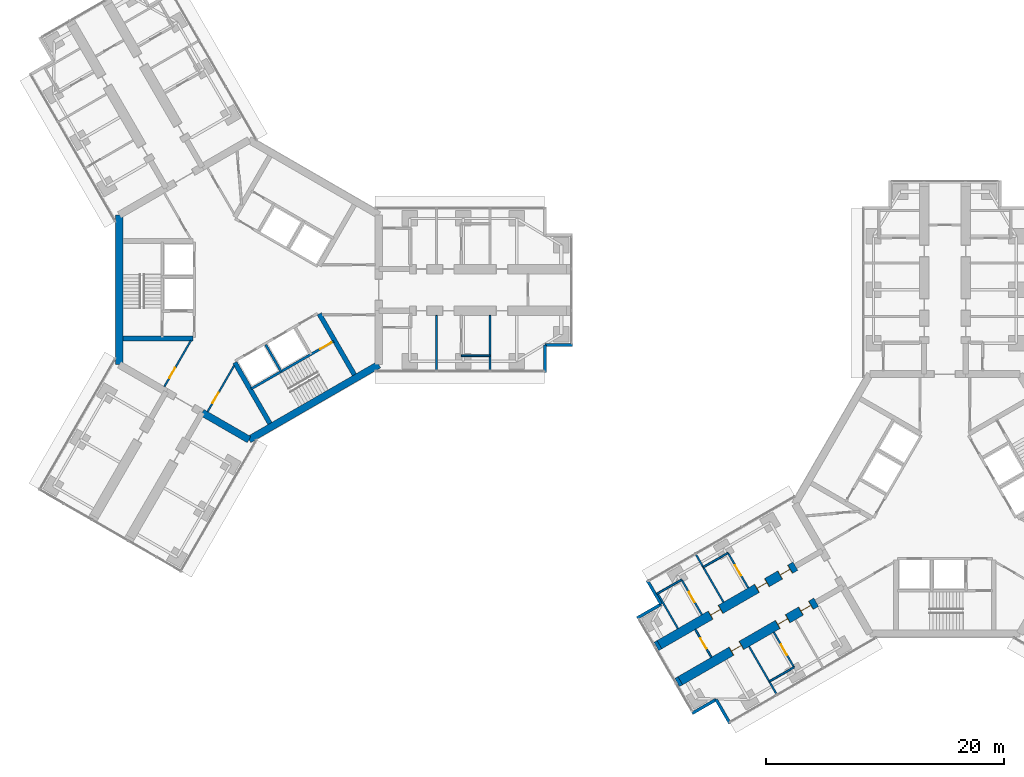
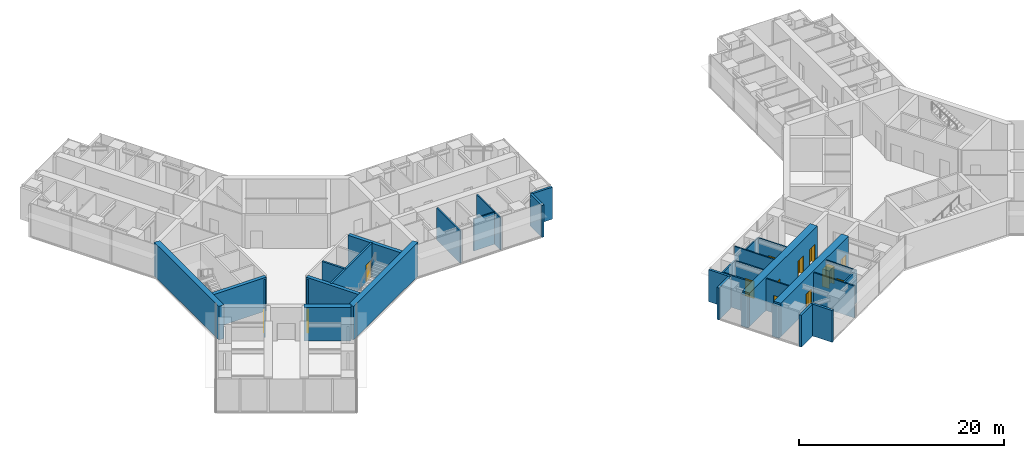
# One storey, part 15 of 22: 33 walls, 13 doors, 13 openings.
"""IFC4 building model written with IfcOpenShell, lengths in metres."""

from ifc_helpers import new_model, si_unit, direction, frame, frame_2d, origin, place, context, subcontext, project, spatial, rectangle, extrude, material, layer, layer_set, type_object, element, fill, save


model = new_model("IFC4")

# Units and contexts
model_context = context("Model", 3, precision=1e-05, world=origin(), true_north=direction((0.0, 1.0)))
body_context = subcontext(model_context, "Body", "Model", "MODEL_VIEW")
ifc_project = project(units=[si_unit("LENGTHUNIT", "METRE"), si_unit("AREAUNIT", "SQUARE_METRE"), si_unit("VOLUMEUNIT", "CUBIC_METRE"), si_unit("PLANEANGLEUNIT", "RADIAN"), si_unit("MASSUNIT", "GRAM", prefix="KILO")], contexts=[model_context])

# Site, building, storey
site_placement = place(None, origin())
site = spatial("IfcSite", under=ifc_project, at=site_placement, CompositionType="ELEMENT")
building_placement = place(site_placement, origin())
building = spatial("IfcBuilding", under=site, at=building_placement, Name="Upepo Twin Towers", CompositionType="ELEMENT")
storey_placement = place(building_placement, frame((0.0, 0.0, 141.5)))
storey = spatial("IfcBuildingStorey", under=building, at=storey_placement, Name="L34", CompositionType="ELEMENT", Elevation=141.5)

# Walls
ifc_material_1 = material(Name="Dense concrete blockwork", Category="masonry")
ifc_layer_1 = layer(ifc_material_1, 0.800048828125)
ifc_layer_set_1 = layer_set([ifc_layer_1], Name="Buttress closer 800, blockwork with fire-stopping to the curtain wall")
wall_type_1 = type_object("IfcWallType", Name="Buttress closer 800, blockwork with fire-stopping to the curtain wall", PredefinedType="PARTITIONING", material=ifc_layer_set_1)
wall_1_placement = place(storey_placement, frame((36.252197265625, -32.865478515625, 0.0), z_axis=(0.0, 0.0, 1.0), x_axis=(-0.865778900179, -0.500426713919, 0.0)))
element("IfcWall", 1, at=wall_1_placement, inside=storey, type_object=wall_type_1, Name="T2 L34 wing B buttress closer L", PredefinedType="PARTITIONING", context=body_context, shape_type="SweptSolid", body=[
    extrude(rectangle(XDim=0.300048828125, YDim=0.800048828125, at=frame_2d((0.14990234375, 0.0))), origin(), (0.0, 0.0, 1.0), 3.800048828125),
])
wall_2_placement = place(storey_placement, frame((34.502197265625, -29.83447265625, 0.0), z_axis=(0.0, 0.0, 1.0), x_axis=(-0.866131372301, -0.499816412211, 0.0)))
element("IfcWall", 2, at=wall_2_placement, inside=storey, type_object=wall_type_1, Name="T2 L34 wing B buttress closer R", PredefinedType="PARTITIONING", context=body_context, shape_type="SweptSolid", body=[
    extrude(rectangle(XDim=0.2998046875, YDim=0.800048828125, at=frame_2d((0.14990234375, 0.0))), origin(), (0.0, 0.0, 1.0), 3.800048828125),
])

# Wall, openings, doors
ifc_material_2 = material(Name="Concrete C60/75", Category="concrete")
ifc_layer_2 = layer(ifc_material_2, 0.800048828125)
ifc_layer_set_2 = layer_set([ifc_layer_2], Name="Concrete C60/75")
wall_type_2 = type_object("IfcWallType", Name="Buttress wall 800 RC", PredefinedType="SHEAR", material=ifc_layer_set_2)
wall_3_placement = place(storey_placement, frame((47.68359375, -26.265625, 0.0), z_axis=(0.0, 0.0, 1.0), x_axis=(-0.866027579429, -0.499996231654, 0.0)))
wall_3 = element("IfcWall", 3, at=wall_3_placement, inside=storey, type_object=wall_type_2, Name="T2 wing B buttress wall L part 2", PredefinedType="SHEAR", context=body_context, shape_type="SweptSolid", body=[
    extrude(rectangle(XDim=13.19970703125, YDim=0.800048828125, at=frame_2d((6.599853515625, 0.0))), origin(), (0.0, 0.0, 1.0), 4.0),
])
opening_1_placement = place(wall_3_placement, frame((0.5, 0.0, 0.0)))
opening_1 = element("IfcOpeningElement", 4, at=opening_1_placement, cuts=wall_3, Name="Opening D1", PredefinedType="OPENING", context=body_context, shape_type="SweptSolid", body=[
    extrude(rectangle(XDim=1.0, YDim=2.10009765625, at=frame_2d((0.5, 1.050048828125))), frame((0.0, 0.409912109375, 0.0), z_axis=(0.0, -1.0, 0.0), x_axis=(1.0, 0.0, 0.0)), (0.0, 0.0, 1.0), 0.820068359375),
])
opening_2_placement = place(wall_3_placement, frame((2.75, 0.0, 0.0)))
opening_2 = element("IfcOpeningElement", 5, at=opening_2_placement, cuts=wall_3, Name="Opening D1", PredefinedType="OPENING", context=body_context, shape_type="SweptSolid", body=[
    extrude(rectangle(XDim=1.0, YDim=2.10009765625, at=frame_2d((0.5, 1.050048828125))), frame((0.0, 0.409912109375, 0.0), z_axis=(0.0, -1.0, 0.0), x_axis=(1.0, 0.0, 0.0)), (0.0, 0.0, 1.0), 0.820068359375),
])
opening_3_placement = place(wall_3_placement, frame((7.25, 0.0, 0.0)))
opening_3 = element("IfcOpeningElement", 6, at=opening_3_placement, cuts=wall_3, Name="Opening D1", PredefinedType="OPENING", context=body_context, shape_type="SweptSolid", body=[
    extrude(rectangle(XDim=1.0, YDim=2.10009765625, at=frame_2d((0.5, 1.050048828125))), frame((0.0, 0.409912109375, 0.0), z_axis=(0.0, -1.0, 0.0), x_axis=(1.0, 0.0, 0.0)), (0.0, 0.0, 1.0), 0.820068359375),
])
ifc_material_3 = material(Name="Timber doorset", Category="wood")
door_type_1 = type_object("IfcDoorType", Name="Room door 1000 FD30", OperationType="SINGLE_SWING_LEFT", PredefinedType="DOOR", material=ifc_material_3)
door_1_placement = place(opening_1_placement, origin())
door_1 = element("IfcDoor", 7, at=door_1_placement, inside=storey, type_object=door_type_1, Name="T2 L34 tutorial room door", OperationType="SINGLE_SWING_LEFT", OverallHeight=2.10009765625, OverallWidth=1.0, PredefinedType="DOOR", context=body_context, shape_type="SweptSolid", body=[
    extrude(rectangle(XDim=0.92, YDim=2.06009765625, at=frame_2d((0.5, 1.030029296875))), frame((0.0, 0.02490234375, 0.0), z_axis=(0.0, -1.0, 0.0), x_axis=(1.0, 0.0, 0.0)), (0.0, 0.0, 1.0), 0.050048828125),
    extrude(rectangle(XDim=0.04, YDim=2.10009765625, at=frame_2d((0.02001953125, 1.050048828125))), frame((0.0, 0.39990234375, 0.0), z_axis=(0.0, -1.0, 0.0), x_axis=(1.0, 0.0, 0.0)), (0.0, 0.0, 1.0), 0.799560546875),
    extrude(rectangle(XDim=0.04, YDim=2.10009765625, at=frame_2d((0.97998046875, 1.050048828125))), frame((0.0, 0.39990234375, 0.0), z_axis=(0.0, -1.0, 0.0), x_axis=(1.0, 0.0, 0.0)), (0.0, 0.0, 1.0), 0.799560546875),
    extrude(rectangle(XDim=0.92, YDim=0.04, at=frame_2d((0.5, 2.080078125))), frame((0.0, 0.39990234375, 0.0), z_axis=(0.0, -1.0, 0.0), x_axis=(1.0, 0.0, 0.0)), (0.0, 0.0, 1.0), 0.799560546875),
])
fill(opening_1, door_1)
door_2_placement = place(opening_2_placement, origin())
door_2 = element("IfcDoor", 8, at=door_2_placement, inside=storey, type_object=door_type_1, Name="T2 L34 staff office door", OperationType="SINGLE_SWING_LEFT", OverallHeight=2.10009765625, OverallWidth=1.0, PredefinedType="DOOR", context=body_context, shape_type="SweptSolid", body=[
    extrude(rectangle(XDim=0.92, YDim=2.06009765625, at=frame_2d((0.5, 1.030029296875))), frame((0.0, 0.02490234375, 0.0), z_axis=(0.0, -1.0, 0.0), x_axis=(1.0, 0.0, 0.0)), (0.0, 0.0, 1.0), 0.050048828125),
    extrude(rectangle(XDim=0.04, YDim=2.10009765625, at=frame_2d((0.02001953125, 1.050048828125))), frame((0.0, 0.39990234375, 0.0), z_axis=(0.0, -1.0, 0.0), x_axis=(1.0, 0.0, 0.0)), (0.0, 0.0, 1.0), 0.799560546875),
    extrude(rectangle(XDim=0.04, YDim=2.10009765625, at=frame_2d((0.97998046875, 1.050048828125))), frame((0.0, 0.39990234375, 0.0), z_axis=(0.0, -1.0, 0.0), x_axis=(1.0, 0.0, 0.0)), (0.0, 0.0, 1.0), 0.799560546875),
    extrude(rectangle(XDim=0.92, YDim=0.04, at=frame_2d((0.5, 2.080078125))), frame((0.0, 0.39990234375, 0.0), z_axis=(0.0, -1.0, 0.0), x_axis=(1.0, 0.0, 0.0)), (0.0, 0.0, 1.0), 0.799560546875),
])
fill(opening_2, door_2)
door_3_placement = place(opening_3_placement, origin())
door_3 = element("IfcDoor", 9, at=door_3_placement, inside=storey, type_object=door_type_1, Name="T2 L34 seminar room door", OperationType="SINGLE_SWING_RIGHT", OverallHeight=2.10009765625, OverallWidth=1.0, PredefinedType="DOOR", context=body_context, shape_type="SweptSolid", body=[
    extrude(rectangle(XDim=0.92, YDim=2.06009765625, at=frame_2d((0.5, 1.030029296875))), frame((0.0, 0.02490234375, 0.0), z_axis=(0.0, -1.0, 0.0), x_axis=(1.0, 0.0, 0.0)), (0.0, 0.0, 1.0), 0.050048828125),
    extrude(rectangle(XDim=0.04, YDim=2.10009765625, at=frame_2d((0.02001953125, 1.050048828125))), frame((0.0, 0.39990234375, 0.0), z_axis=(0.0, -1.0, 0.0), x_axis=(1.0, 0.0, 0.0)), (0.0, 0.0, 1.0), 0.799560546875),
    extrude(rectangle(XDim=0.04, YDim=2.10009765625, at=frame_2d((0.97998046875, 1.050048828125))), frame((0.0, 0.39990234375, 0.0), z_axis=(0.0, -1.0, 0.0), x_axis=(1.0, 0.0, 0.0)), (0.0, 0.0, 1.0), 0.799560546875),
    extrude(rectangle(XDim=0.92, YDim=0.04, at=frame_2d((0.5, 2.080078125))), frame((0.0, 0.39990234375, 0.0), z_axis=(0.0, -1.0, 0.0), x_axis=(1.0, 0.0, 0.0)), (0.0, 0.0, 1.0), 0.799560546875),
])
fill(opening_3, door_3)

wall_4_placement = place(storey_placement, frame((45.93359375, -23.234375, 0.0), z_axis=(0.0, 0.0, 1.0), x_axis=(-0.866019570528, -0.500010103361, 0.0)))
wall_4 = element("IfcWall", 10, at=wall_4_placement, inside=storey, type_object=wall_type_2, Name="T2 wing B buttress wall R part 2", PredefinedType="SHEAR", context=body_context, shape_type="SweptSolid", body=[
    extrude(rectangle(XDim=13.199951171875, YDim=0.800048828125, at=frame_2d((6.60009765625, 0.0))), origin(), (0.0, 0.0, 1.0), 4.0),
])
opening_4_placement = place(wall_4_placement, frame((0.5, 0.0, 0.0)))
opening_4 = element("IfcOpeningElement", 11, at=opening_4_placement, cuts=wall_4, Name="Opening D1", PredefinedType="OPENING", context=body_context, shape_type="SweptSolid", body=[
    extrude(rectangle(XDim=1.0, YDim=2.10009765625, at=frame_2d((0.5, 1.050048828125))), frame((0.0, 0.409912109375, 0.0), z_axis=(0.0, -1.0, 0.0), x_axis=(1.0, 0.0, 0.0)), (0.0, 0.0, 1.0), 0.820068359375),
])
opening_5_placement = place(wall_4_placement, frame((2.75, 0.0, 0.0)))
opening_5 = element("IfcOpeningElement", 12, at=opening_5_placement, cuts=wall_4, Name="Opening D1", PredefinedType="OPENING", context=body_context, shape_type="SweptSolid", body=[
    extrude(rectangle(XDim=1.0, YDim=2.10009765625, at=frame_2d((0.5, 1.050048828125))), frame((0.0, 0.409912109375, 0.0), z_axis=(0.0, -1.0, 0.0), x_axis=(1.0, 0.0, 0.0)), (0.0, 0.0, 1.0), 0.820068359375),
])
opening_6_placement = place(wall_4_placement, frame((7.25, 0.0, 0.0)))
opening_6 = element("IfcOpeningElement", 13, at=opening_6_placement, cuts=wall_4, Name="Opening D1", PredefinedType="OPENING", context=body_context, shape_type="SweptSolid", body=[
    extrude(rectangle(XDim=1.0, YDim=2.10009765625, at=frame_2d((0.5, 1.050048828125))), frame((0.0, 0.409912109375, 0.0), z_axis=(0.0, -1.0, 0.0), x_axis=(1.0, 0.0, 0.0)), (0.0, 0.0, 1.0), 0.820068359375),
])
door_4_placement = place(opening_4_placement, origin())
door_4 = element("IfcDoor", 14, at=door_4_placement, inside=storey, type_object=door_type_1, Name="T2 L34 law clinic door", OperationType="SINGLE_SWING_LEFT", OverallHeight=2.10009765625, OverallWidth=1.0, PredefinedType="DOOR", context=body_context, shape_type="SweptSolid", body=[
    extrude(rectangle(XDim=0.92, YDim=2.06009765625, at=frame_2d((0.5, 1.030029296875))), frame((0.0, 0.02490234375, 0.0), z_axis=(0.0, -1.0, 0.0), x_axis=(1.0, 0.0, 0.0)), (0.0, 0.0, 1.0), 0.050048828125),
    extrude(rectangle(XDim=0.04, YDim=2.10009765625, at=frame_2d((0.02001953125, 1.050048828125))), frame((0.0, 0.39990234375, 0.0), z_axis=(0.0, -1.0, 0.0), x_axis=(1.0, 0.0, 0.0)), (0.0, 0.0, 1.0), 0.799560546875),
    extrude(rectangle(XDim=0.04, YDim=2.10009765625, at=frame_2d((0.97998046875, 1.050048828125))), frame((0.0, 0.39990234375, 0.0), z_axis=(0.0, -1.0, 0.0), x_axis=(1.0, 0.0, 0.0)), (0.0, 0.0, 1.0), 0.799560546875),
    extrude(rectangle(XDim=0.92, YDim=0.04, at=frame_2d((0.5, 2.080078125))), frame((0.0, 0.39990234375, 0.0), z_axis=(0.0, -1.0, 0.0), x_axis=(1.0, 0.0, 0.0)), (0.0, 0.0, 1.0), 0.799560546875),
])
fill(opening_4, door_4)
door_5_placement = place(opening_5_placement, origin())
door_5 = element("IfcDoor", 15, at=door_5_placement, inside=storey, type_object=door_type_1, Name="T2 L34 law clinic door", OperationType="SINGLE_SWING_LEFT", OverallHeight=2.10009765625, OverallWidth=1.0, PredefinedType="DOOR", context=body_context, shape_type="SweptSolid", body=[
    extrude(rectangle(XDim=0.92, YDim=2.06009765625, at=frame_2d((0.5, 1.030029296875))), frame((0.0, 0.02490234375, 0.0), z_axis=(0.0, -1.0, 0.0), x_axis=(1.0, 0.0, 0.0)), (0.0, 0.0, 1.0), 0.050048828125),
    extrude(rectangle(XDim=0.04, YDim=2.10009765625, at=frame_2d((0.02001953125, 1.050048828125))), frame((0.0, 0.39990234375, 0.0), z_axis=(0.0, -1.0, 0.0), x_axis=(1.0, 0.0, 0.0)), (0.0, 0.0, 1.0), 0.799560546875),
    extrude(rectangle(XDim=0.04, YDim=2.10009765625, at=frame_2d((0.97998046875, 1.050048828125))), frame((0.0, 0.39990234375, 0.0), z_axis=(0.0, -1.0, 0.0), x_axis=(1.0, 0.0, 0.0)), (0.0, 0.0, 1.0), 0.799560546875),
    extrude(rectangle(XDim=0.92, YDim=0.04, at=frame_2d((0.5, 2.080078125))), frame((0.0, 0.39990234375, 0.0), z_axis=(0.0, -1.0, 0.0), x_axis=(1.0, 0.0, 0.0)), (0.0, 0.0, 1.0), 0.799560546875),
])
fill(opening_5, door_5)
door_6_placement = place(opening_6_placement, origin())
door_6 = element("IfcDoor", 16, at=door_6_placement, inside=storey, type_object=door_type_1, Name="T2 L34 tutorial room door", OperationType="SINGLE_SWING_RIGHT", OverallHeight=2.10009765625, OverallWidth=1.0, PredefinedType="DOOR", context=body_context, shape_type="SweptSolid", body=[
    extrude(rectangle(XDim=0.92, YDim=2.06009765625, at=frame_2d((0.5, 1.030029296875))), frame((0.0, 0.02490234375, 0.0), z_axis=(0.0, -1.0, 0.0), x_axis=(1.0, 0.0, 0.0)), (0.0, 0.0, 1.0), 0.050048828125),
    extrude(rectangle(XDim=0.04, YDim=2.10009765625, at=frame_2d((0.02001953125, 1.050048828125))), frame((0.0, 0.39990234375, 0.0), z_axis=(0.0, -1.0, 0.0), x_axis=(1.0, 0.0, 0.0)), (0.0, 0.0, 1.0), 0.799560546875),
    extrude(rectangle(XDim=0.04, YDim=2.10009765625, at=frame_2d((0.97998046875, 1.050048828125))), frame((0.0, 0.39990234375, 0.0), z_axis=(0.0, -1.0, 0.0), x_axis=(1.0, 0.0, 0.0)), (0.0, 0.0, 1.0), 0.799560546875),
    extrude(rectangle(XDim=0.92, YDim=0.04, at=frame_2d((0.5, 2.080078125))), frame((0.0, 0.39990234375, 0.0), z_axis=(0.0, -1.0, 0.0), x_axis=(1.0, 0.0, 0.0)), (0.0, 0.0, 1.0), 0.799560546875),
])
fill(opening_6, door_6)

# Walls
ifc_material_4 = material(Name="Concrete C60/75", Category="concrete")
ifc_layer_3 = layer(ifc_material_4, 0.60009765625)
ifc_layer_set_3 = layer_set([ifc_layer_3], Name="Concrete C60/75")
wall_type_3 = type_object("IfcWallType", Name="Core wall 600 RC", PredefinedType="SHEAR", material=ifc_layer_set_3)
wall_5_placement = place(storey_placement, frame((-10.908447265625, 6.2978515625, 0.0), z_axis=(0.0, 0.0, 1.0), x_axis=(0.0, -1.0, 0.0)))
element("IfcWall", 17, at=wall_5_placement, inside=storey, type_object=wall_type_3, Name="T1 core wall 180", PredefinedType="SHEAR", context=body_context, shape_type="SweptSolid", body=[
    extrude(rectangle(XDim=12.595703125, YDim=0.60009765625, at=frame_2d((6.2978515625, 0.0))), origin(), (0.0, 0.0, 1.0), 4.0),
])
wall_6_placement = place(storey_placement, frame((-3.938720703125, -10.32177734375, 0.0), z_axis=(0.0, 0.0, 1.0), x_axis=(0.866011268655, -0.500024481964, 0.0)))
element("IfcWall", 18, at=wall_6_placement, inside=storey, type_object=wall_type_3, Name="T1 core wall 240 L", PredefinedType="SHEAR", context=body_context, shape_type="SweptSolid", body=[
    extrude(rectangle(XDim=4.548095703125, YDim=0.60009765625, at=frame_2d((2.27392578125, 0.0))), origin(), (0.0, 0.0, 1.0), 4.0),
])
wall_7_placement = place(storey_placement, frame((0.0, -12.595947265625, 0.0), z_axis=(0.0, 0.0, 1.0), x_axis=(0.866021940709, 0.500005998175, 0.0)))
element("IfcWall", 19, at=wall_7_placement, inside=storey, type_object=wall_type_3, Name="T1 core wall 300", PredefinedType="SHEAR", context=body_context, shape_type="SweptSolid", body=[
    extrude(rectangle(XDim=12.595947265625, YDim=0.60009765625, at=frame_2d((6.2978515625, 0.0))), origin(), (0.0, 0.0, 1.0), 4.0),
])
ifc_material_5 = material(Name="Blockwork with anodised aluminium cladding", Category="masonry")
ifc_layer_4 = layer(ifc_material_5, 0.25)
ifc_layer_set_4 = layer_set([ifc_layer_4], Name="Notch cladding wall 250, pale metal")
wall_type_4 = type_object("IfcWallType", Name="Notch cladding wall 250, pale metal", PredefinedType="STANDARD", material=ifc_layer_set_4)
for number, where, z_axis, x_axis, name in (
    (20, (24.875, -6.949951171875, 0.0), (0.0, 0.0, 1.0), (0.0, 1.0, 0.0), "T1 L34 wing A notch wall R1"),
    (21, (24.875, -4.625, 0.0), (0.0, 0.0, 1.0), (1.0, 0.0, 0.0), "T1 L34 wing A notch wall R2"),
    (22, (40.4326171875, -36.456298828125, 0.0), (0.0, 0.0, 1.0), (-0.500046648681, 0.865998469481, 0.0), "T2 L34 wing B notch wall L1"),
    (23, (39.27001953125, -34.44287109375, 0.0), (0.0, 0.0, 1.0), (-0.865998469481, -0.500046648681, 0.0), "T2 L34 wing B notch wall L2"),
    (24, (33.482666015625, -24.418701171875, 0.0), (0.0, 0.0, 1.0), (0.499967891604, -0.866043940782, 0.0), "T2 L34 wing B notch wall R1"),
    (25, (34.64501953125, -26.43212890625, 0.0), (0.0, 0.0, 1.0), (-0.865998469481, -0.500046648681, 0.0), "T2 L34 wing B notch wall R2"),
):
    element("IfcWall", number, at=place(storey_placement, frame(where, z_axis=z_axis, x_axis=x_axis)), inside=storey, type_object=wall_type_4, Name=name, PredefinedType="STANDARD", context=body_context, shape_type="SweptSolid", body=[
        extrude(rectangle(XDim=2.324951171875, YDim=0.25, at=frame_2d((1.16259765625, 0.0))), origin(), (0.0, 0.0, 1.0), 3.800048828125),
    ])
ifc_material_6 = material(Name="Concrete C40/50", Category="concrete")
ifc_layer_5 = layer(ifc_material_6, 0.199951171875)
ifc_layer_set_5 = layer_set([ifc_layer_5], Name="Concrete C40/50")
wall_type_5 = type_object("IfcWallType", Name="Shaft wall 200 RC", PredefinedType="SHEAR", material=ifc_layer_set_5)
wall_8_placement = place(storey_placement, frame((1.3974609375, -4.620361328125, 0.0), z_axis=(0.0, 0.0, 1.0), x_axis=(0.499936506574, -0.866062058628, 0.0)))
element("IfcWall", 26, at=wall_8_placement, inside=storey, type_object=wall_type_5, Name="T1 core W300 shaft divider", PredefinedType="SHEAR", context=body_context, shape_type="SweptSolid", body=[
    extrude(rectangle(XDim=2.599853515625, YDim=0.199951171875, at=frame_2d((1.2998046875, 0.0))), origin(), (0.0, 0.0, 1.0), 4.0),
])

# Wall, opening, door
wall_9_placement = place(storey_placement, frame((0.185791015625, -8.322021484375, 0.0), z_axis=(0.0, 0.0, 1.0), x_axis=(0.866026010844, 0.49999894854, 0.0)))
wall_9 = element("IfcWall", 27, at=wall_9_placement, inside=storey, type_object=wall_type_5, Name="T1 core W300 stair wall", PredefinedType="SHEAR", context=body_context, shape_type="SweptSolid", body=[
    extrude(rectangle(XDim=8.0, YDim=0.199951171875, at=frame_2d((4.0, 0.0))), origin(), (0.0, 0.0, 1.0), 4.0),
])
opening_7_placement = place(wall_9_placement, frame((6.699951171875, 0.0, 0.0)))
opening_7 = element("IfcOpeningElement", 28, at=opening_7_placement, cuts=wall_9, Name="Opening D3", PredefinedType="OPENING", context=body_context, shape_type="SweptSolid", body=[
    extrude(rectangle(XDim=1.10009765625, YDim=2.10009765625, at=frame_2d((0.550048828125, 1.050048828125))), frame((0.0, 0.10986328125, 0.0), z_axis=(0.0, -1.0, 0.0), x_axis=(1.0, 0.0, 0.0)), (0.0, 0.0, 1.0), 0.219970703125),
])
ifc_material_7 = material(Name="Timber doorset", Category="wood")
door_type_2 = type_object("IfcDoorType", Name="Stair door 1100 FD60", OperationType="SINGLE_SWING_LEFT", PredefinedType="DOOR", material=ifc_material_7)
door_7_placement = place(opening_7_placement, origin())
door_7 = element("IfcDoor", 29, at=door_7_placement, inside=storey, type_object=door_type_2, Name="T1 L34 stair door", OperationType="SINGLE_SWING_RIGHT", OverallHeight=2.10009765625, OverallWidth=1.10009765625, PredefinedType="DOOR", context=body_context, shape_type="SweptSolid", body=[
    extrude(rectangle(XDim=1.10009765625, YDim=2.10009765625, at=frame_2d((0.550048828125, 1.050048828125))), frame((0.0, 0.02490234375, 0.0), z_axis=(0.0, -1.0, 0.0), x_axis=(1.0, 0.0, 0.0)), (0.0, 0.0, 1.0), 0.050048828125),
])
fill(opening_7, door_7)

# Walls
ifc_material_8 = material(Name="Concrete C40/50", Category="concrete")
ifc_layer_6 = layer(ifc_material_8, 0.39990234375)
ifc_layer_set_6 = layer_set([ifc_layer_6], Name="Concrete C40/50")
wall_type_6 = type_object("IfcWallType", Name="Shaft wall 400 RC", PredefinedType="SHEAR", material=ifc_layer_set_6)
for number, where, z_axis, x_axis, name in (
    (30, (-4.699951171875, -4.10009765625, 0.0), (0.0, 0.0, 1.0), (-1.0, 0.0, 0.0), "T1 core W180 side wall N"),
    (31, (5.900634765625, -2.020263671875, 0.0), (0.0, 0.0, 1.0), (0.500027676417, -0.866009424208, 0.0), "T1 core W300 side wall N"),
):
    element("IfcWall", number, at=place(storey_placement, frame(where, z_axis=z_axis, x_axis=x_axis)), inside=storey, type_object=wall_type_6, Name=name, PredefinedType="SHEAR", context=body_context, shape_type="SweptSolid", body=[
        extrude(rectangle(XDim=5.908447265625, YDim=0.39990234375, at=frame_2d((2.9541015625, 0.0))), origin(), (0.0, 0.0, 1.0), 4.0),
    ])
wall_10_placement = place(storey_placement, frame((-1.20068359375, -6.120361328125, 0.0), z_axis=(0.0, 0.0, 1.0), x_axis=(0.49999668571, -0.866027317282, 0.0)))
element("IfcWall", 32, at=wall_10_placement, inside=storey, type_object=wall_type_6, Name="T1 core W300 side wall S", PredefinedType="SHEAR", context=body_context, shape_type="SweptSolid", body=[
    extrude(rectangle(XDim=5.908203125, YDim=0.39990234375, at=frame_2d((2.9541015625, 0.0))), origin(), (0.0, 0.0, 1.0), 4.0),
])
ifc_material_9 = material(Name="Gypsum board on steel studs", Category="steel")
ifc_layer_7 = layer(ifc_material_9, 0.14990234375)
ifc_layer_set_7 = layer_set([ifc_layer_7], Name="Teaching partition 150 acoustic")
wall_type_7 = type_object("IfcWallType", Name="Teaching partition 150 acoustic", PredefinedType="PARTITIONING", material=ifc_layer_set_7)
for number, where, z_axis, x_axis, name in (
    (33, (15.75, -2.14990234375, 0.0), (0.0, 0.0, 1.0), (0.0, -1.0, 0.0), "T1 partition AR at 15.75"),
    (34, (20.25, -2.14990234375, 0.0), (0.0, 0.0, 1.0), (0.0, -1.0, 0.0), "T1 partition AR at 20.25"),
):
    element("IfcWall", number, at=place(storey_placement, frame(where, z_axis=z_axis, x_axis=x_axis)), inside=storey, type_object=wall_type_7, Name=name, PredefinedType="PARTITIONING", context=body_context, shape_type="SweptSolid", body=[
        extrude(rectangle(XDim=4.60009765625, YDim=0.14990234375, at=frame_2d((2.300048828125, 0.0))), origin(), (0.0, 0.0, 1.0), 3.800048828125),
    ])
wall_11_placement = place(storey_placement, frame((17.85009765625, -5.550048828125, 0.0), z_axis=(0.0, 0.0, 1.0), x_axis=(1.0, 0.0, 0.0)))
element("IfcWall", 35, at=wall_11_placement, inside=storey, type_object=wall_type_7, Name="T1 inner room partition AR at 17.85", PredefinedType="PARTITIONING", context=body_context, shape_type="SweptSolid", body=[
    extrude(rectangle(XDim=2.39990234375, YDim=0.14990234375, at=frame_2d((1.199951171875, 0.0))), origin(), (0.0, 0.0, 1.0), 3.800048828125),
])

# Wall, opening, door
wall_12_placement = place(storey_placement, frame((-1.252685546875, -6.36962890625, 0.0), z_axis=(0.0, 0.0, 1.0), x_axis=(-0.499999473313, -0.866025707867, 0.0)))
wall_12 = element("IfcWall", 36, at=wall_12_placement, inside=storey, type_object=wall_type_7, Name="T1 core room partition 1", PredefinedType="PARTITIONING", context=body_context, shape_type="SweptSolid", body=[
    extrude(rectangle(XDim=4.4755859375, YDim=0.14990234375, at=frame_2d((2.23779296875, 0.0))), origin(), (0.0, 0.0, 1.0), 3.800048828125),
])
opening_8_placement = place(wall_12_placement, frame((2.633056640625, 0.0, 0.0)))
opening_8 = element("IfcOpeningElement", 37, at=opening_8_placement, cuts=wall_12, Name="Opening D1", PredefinedType="OPENING", context=body_context, shape_type="SweptSolid", body=[
    extrude(rectangle(XDim=1.0, YDim=2.10009765625, at=frame_2d((0.5, 1.050048828125))), frame((0.0, 0.0849609375, 0.0), z_axis=(0.0, -1.0, 0.0), x_axis=(1.0, 0.0, 0.0)), (0.0, 0.0, 1.0), 0.169921875),
])
door_8_placement = place(opening_8_placement, origin())
door_8 = element("IfcDoor", 38, at=door_8_placement, inside=storey, type_object=door_type_1, Name="T1 L34 core room door K2", OperationType="SINGLE_SWING_RIGHT", OverallHeight=2.10009765625, OverallWidth=1.0, PredefinedType="DOOR", context=body_context, shape_type="SweptSolid", body=[
    extrude(rectangle(XDim=1.0, YDim=2.10009765625, at=frame_2d((0.5, 1.050048828125))), frame((0.0, 0.02490234375, 0.0), z_axis=(0.0, -1.0, 0.0), x_axis=(1.0, 0.0, 0.0)), (0.0, 0.0, 1.0), 0.050048828125),
])
fill(opening_8, door_8)

wall_13_placement = place(storey_placement, frame((-7.127685546875, -8.145751953125, 0.0), z_axis=(0.0, 0.0, 1.0), x_axis=(0.499999473313, 0.866025707867, 0.0)))
wall_13 = element("IfcWall", 39, at=wall_13_placement, inside=storey, type_object=wall_type_7, Name="T1 core room partition 2", PredefinedType="PARTITIONING", context=body_context, shape_type="SweptSolid", body=[
    extrude(rectangle(XDim=4.4755859375, YDim=0.14990234375, at=frame_2d((2.23779296875, 0.0))), origin(), (0.0, 0.0, 1.0), 3.800048828125),
])
opening_9_placement = place(wall_13_placement, frame((0.8427734375, 0.0, 0.0)))
opening_9 = element("IfcOpeningElement", 40, at=opening_9_placement, cuts=wall_13, Name="Opening D1", PredefinedType="OPENING", context=body_context, shape_type="SweptSolid", body=[
    extrude(rectangle(XDim=1.0, YDim=2.10009765625, at=frame_2d((0.5, 1.050048828125))), frame((0.0, 0.0849609375, 0.0), z_axis=(0.0, -1.0, 0.0), x_axis=(1.0, 0.0, 0.0)), (0.0, 0.0, 1.0), 0.169921875),
])
door_9_placement = place(opening_9_placement, origin())
door_9 = element("IfcDoor", 41, at=door_9_placement, inside=storey, type_object=door_type_1, Name="T1 L34 core room door K1", OperationType="SINGLE_SWING_LEFT", OverallHeight=2.10009765625, OverallWidth=1.0, PredefinedType="DOOR", context=body_context, shape_type="SweptSolid", body=[
    extrude(rectangle(XDim=1.0, YDim=2.10009765625, at=frame_2d((0.5, 1.050048828125))), frame((0.0, 0.02490234375, 0.0), z_axis=(0.0, -1.0, 0.0), x_axis=(1.0, 0.0, 0.0)), (0.0, 0.0, 1.0), 0.050048828125),
])
fill(opening_9, door_9)

# Walls
wall_14_placement = place(storey_placement, frame((42.0380859375, -29.987060546875, 0.0), z_axis=(0.0, 0.0, 1.0), x_axis=(0.499975146636, -0.866039752405, 0.0)))
element("IfcWall", 42, at=wall_14_placement, inside=storey, type_object=wall_type_7, Name="T2 partition BL at 20.25", PredefinedType="PARTITIONING", context=body_context, shape_type="SweptSolid", body=[
    extrude(rectangle(XDim=4.599853515625, YDim=0.14990234375, at=frame_2d((2.2998046875, 0.0))), origin(), (0.0, 0.0, 1.0), 3.800048828125),
])
wall_15_placement = place(storey_placement, frame((45.81640625, -31.7314453125, 0.0), z_axis=(0.0, 0.0, 1.0), x_axis=(-0.866024647952, -0.500001309137, 0.0)))
element("IfcWall", 43, at=wall_15_placement, inside=storey, type_object=wall_type_7, Name="T2 inner room partition BL at 17.85", PredefinedType="PARTITIONING", context=body_context, shape_type="SweptSolid", body=[
    extrude(rectangle(XDim=2.39990234375, YDim=0.14990234375, at=frame_2d((1.199951171875, 0.0))), origin(), (0.0, 0.0, 1.0), 3.800048828125),
])

# Wall, opening, door
wall_16_placement = place(storey_placement, frame((44.116455078125, -28.786865234375, 0.0), z_axis=(0.0, 0.0, 1.0), x_axis=(0.499977295307, -0.866038511948, 0.0)))
wall_16 = element("IfcWall", 44, at=wall_16_placement, inside=storey, type_object=wall_type_7, Name="T2 inner room partition BL end at 17.85", PredefinedType="PARTITIONING", context=body_context, shape_type="SweptSolid", body=[
    extrude(rectangle(XDim=3.400146484375, YDim=0.14990234375, at=frame_2d((1.7001953125, 0.0))), origin(), (0.0, 0.0, 1.0), 3.800048828125),
])
opening_10_placement = place(wall_16_placement, frame((1.199951171875, 0.0, 0.0)))
opening_10 = element("IfcOpeningElement", 45, at=opening_10_placement, cuts=wall_16, Name="Opening D1", PredefinedType="OPENING", context=body_context, shape_type="SweptSolid", body=[
    extrude(rectangle(XDim=1.0, YDim=2.10009765625, at=frame_2d((0.5, 1.050048828125))), frame((0.0, 0.0849609375, 0.0), z_axis=(0.0, -1.0, 0.0), x_axis=(1.0, 0.0, 0.0)), (0.0, 0.0, 1.0), 0.169921875),
])
door_10_placement = place(opening_10_placement, origin())
door_10 = element("IfcDoor", 46, at=door_10_placement, inside=storey, type_object=door_type_1, Name="T2 L34 inner room door", OperationType="SINGLE_SWING_LEFT", OverallHeight=2.10009765625, OverallWidth=1.0, PredefinedType="DOOR", context=body_context, shape_type="SweptSolid", body=[
    extrude(rectangle(XDim=1.0, YDim=2.10009765625, at=frame_2d((0.5, 1.050048828125))), frame((0.0, 0.02490234375, 0.0), z_axis=(0.0, -1.0, 0.0), x_axis=(1.0, 0.0, 0.0)), (0.0, 0.0, 1.0), 0.050048828125),
])
fill(opening_10, door_10)

# Walls
wall_17_placement = place(storey_placement, frame((39.887939453125, -26.262939453125, 0.0), z_axis=(0.0, 0.0, 1.0), x_axis=(-0.500014953309, 0.866016770315, 0.0)))
element("IfcWall", 47, at=wall_17_placement, inside=storey, type_object=wall_type_7, Name="T2 partition BR at 20.25", PredefinedType="PARTITIONING", context=body_context, shape_type="SweptSolid", body=[
    extrude(rectangle(XDim=4.599853515625, YDim=0.14990234375, at=frame_2d((2.2998046875, 0.0))), origin(), (0.0, 0.0, 1.0), 3.800048828125),
])
wall_18_placement = place(storey_placement, frame((40.266357421875, -22.11865234375, 0.0), z_axis=(0.0, 0.0, 1.0), x_axis=(-0.866024647952, -0.500001309137, 0.0)))
element("IfcWall", 48, at=wall_18_placement, inside=storey, type_object=wall_type_7, Name="T2 inner room partition BR at 17.85", PredefinedType="PARTITIONING", context=body_context, shape_type="SweptSolid", body=[
    extrude(rectangle(XDim=2.39990234375, YDim=0.14990234375, at=frame_2d((1.199951171875, 0.0))), origin(), (0.0, 0.0, 1.0), 3.800048828125),
])

# Wall, opening, door
wall_19_placement = place(storey_placement, frame((41.966552734375, -25.06298828125, 0.0), z_axis=(0.0, 0.0, 1.0), x_axis=(-0.500062241894, 0.865989465428, 0.0)))
wall_19 = element("IfcWall", 49, at=wall_19_placement, inside=storey, type_object=wall_type_7, Name="T2 inner room partition BR end at 17.85", PredefinedType="PARTITIONING", context=body_context, shape_type="SweptSolid", body=[
    extrude(rectangle(XDim=3.39990234375, YDim=0.14990234375, at=frame_2d((1.699951171875, 0.0))), origin(), (0.0, 0.0, 1.0), 3.800048828125),
])
opening_11_placement = place(wall_19_placement, frame((1.199951171875, 0.0, 0.0)))
opening_11 = element("IfcOpeningElement", 50, at=opening_11_placement, cuts=wall_19, Name="Opening D1", PredefinedType="OPENING", context=body_context, shape_type="SweptSolid", body=[
    extrude(rectangle(XDim=1.0, YDim=2.10009765625, at=frame_2d((0.5, 1.050048828125))), frame((0.0, 0.0849609375, 0.0), z_axis=(0.0, -1.0, 0.0), x_axis=(1.0, 0.0, 0.0)), (0.0, 0.0, 1.0), 0.169921875),
])
door_11_placement = place(opening_11_placement, origin())
door_11 = element("IfcDoor", 51, at=door_11_placement, inside=storey, type_object=door_type_1, Name="T2 L34 inner room door", OperationType="SINGLE_SWING_LEFT", OverallHeight=2.10009765625, OverallWidth=1.0, PredefinedType="DOOR", context=body_context, shape_type="SweptSolid", body=[
    extrude(rectangle(XDim=1.0, YDim=2.10009765625, at=frame_2d((0.5, 1.050048828125))), frame((0.0, 0.02490234375, 0.0), z_axis=(0.0, -1.0, 0.0), x_axis=(1.0, 0.0, 0.0)), (0.0, 0.0, 1.0), 0.050048828125),
])
fill(opening_11, door_11)

# Wall
wall_20_placement = place(storey_placement, frame((36.369384765625, -24.36865234375, 0.0), z_axis=(0.0, 0.0, 1.0), x_axis=(-0.866050077142, -0.499957262057, 0.0)))
element("IfcWall", 52, at=wall_20_placement, inside=storey, type_object=wall_type_7, Name="T2 inner room partition BR at 22.35", PredefinedType="PARTITIONING", context=body_context, shape_type="SweptSolid", body=[
    extrude(rectangle(XDim=2.400146484375, YDim=0.14990234375, at=frame_2d((1.2001953125, 0.0))), origin(), (0.0, 0.0, 1.0), 3.800048828125),
])

# Wall, opening, door
wall_21_placement = place(storey_placement, frame((38.0693359375, -27.31298828125, 0.0), z_axis=(0.0, 0.0, 1.0), x_axis=(-0.500008388397, 0.866020560687, 0.0)))
wall_21 = element("IfcWall", 53, at=wall_21_placement, inside=storey, type_object=wall_type_7, Name="T2 inner room partition BR end at 22.35", PredefinedType="PARTITIONING", context=body_context, shape_type="SweptSolid", body=[
    extrude(rectangle(XDim=3.39990234375, YDim=0.14990234375, at=frame_2d((1.699951171875, 0.0))), origin(), (0.0, 0.0, 1.0), 3.800048828125),
])
opening_12_placement = place(wall_21_placement, frame((1.199951171875, 0.0, 0.0)))
opening_12 = element("IfcOpeningElement", 54, at=opening_12_placement, cuts=wall_21, Name="Opening D1", PredefinedType="OPENING", context=body_context, shape_type="SweptSolid", body=[
    extrude(rectangle(XDim=1.0, YDim=2.10009765625, at=frame_2d((0.5, 1.050048828125))), frame((0.0, 0.0849609375, 0.0), z_axis=(0.0, -1.0, 0.0), x_axis=(1.0, 0.0, 0.0)), (0.0, 0.0, 1.0), 0.169921875),
])
door_12_placement = place(opening_12_placement, origin())
door_12 = element("IfcDoor", 55, at=door_12_placement, inside=storey, type_object=door_type_1, Name="T2 L34 inner room door", OperationType="SINGLE_SWING_LEFT", OverallHeight=2.10009765625, OverallWidth=1.0, PredefinedType="DOOR", context=body_context, shape_type="SweptSolid", body=[
    extrude(rectangle(XDim=1.0, YDim=2.10009765625, at=frame_2d((0.5, 1.050048828125))), frame((0.0, 0.02490234375, 0.0), z_axis=(0.0, -1.0, 0.0), x_axis=(1.0, 0.0, 0.0)), (0.0, 0.0, 1.0), 0.050048828125),
])
fill(opening_12, door_12)

# Wall
wall_22_placement = place(storey_placement, frame((36.055908203125, -28.4755859375, 0.0), z_axis=(0.0, 0.0, 1.0), x_axis=(-0.500031147688, 0.866007419912, 0.0)))
element("IfcWall", 56, at=wall_22_placement, inside=storey, type_object=wall_type_7, Name="T2 inner room partition BR end at 24.75", PredefinedType="PARTITIONING", context=body_context, shape_type="SweptSolid", body=[
    extrude(rectangle(XDim=3.400146484375, YDim=0.14990234375, at=frame_2d((1.7001953125, 0.0))), origin(), (0.0, 0.0, 1.0), 3.800048828125),
])

# Wall, opening, door
wall_23_placement = place(storey_placement, frame((37.5166015625, -28.555908203125, 0.0), z_axis=(0.0, 0.0, 1.0), x_axis=(0.500048589285, -0.86599734893, 0.0)))
wall_23 = element("IfcWall", 57, at=wall_23_placement, inside=storey, type_object=wall_type_7, Name="T2 corridor end partition B at 23.45", PredefinedType="PARTITIONING", context=body_context, shape_type="SweptSolid", body=[
    extrude(rectangle(XDim=2.699951171875, YDim=0.14990234375, at=frame_2d((1.35009765625, 0.0))), origin(), (0.0, 0.0, 1.0), 3.800048828125),
])
opening_13_placement = place(wall_23_placement, frame((0.85009765625, 0.0, 0.0)))
opening_13 = element("IfcOpeningElement", 58, at=opening_13_placement, cuts=wall_23, Name="Opening D1", PredefinedType="OPENING", context=body_context, shape_type="SweptSolid", body=[
    extrude(rectangle(XDim=1.0, YDim=2.10009765625, at=frame_2d((0.5, 1.050048828125))), frame((0.0, 0.0849609375, 0.0), z_axis=(0.0, -1.0, 0.0), x_axis=(1.0, 0.0, 0.0)), (0.0, 0.0, 1.0), 0.169921875),
])
door_13_placement = place(opening_13_placement, origin())
door_13 = element("IfcDoor", 59, at=door_13_placement, inside=storey, type_object=door_type_1, Name="T2 L34 breakout study room door", OperationType="SINGLE_SWING_RIGHT", OverallHeight=2.10009765625, OverallWidth=1.0, PredefinedType="DOOR", context=body_context, shape_type="SweptSolid", body=[
    extrude(rectangle(XDim=1.0, YDim=2.10009765625, at=frame_2d((0.5, 1.050048828125))), frame((0.0, 0.02490234375, 0.0), z_axis=(0.0, -1.0, 0.0), x_axis=(1.0, 0.0, 0.0)), (0.0, 0.0, 1.0), 0.050048828125),
])
fill(opening_13, door_13)

save(model, "model.ifc")
